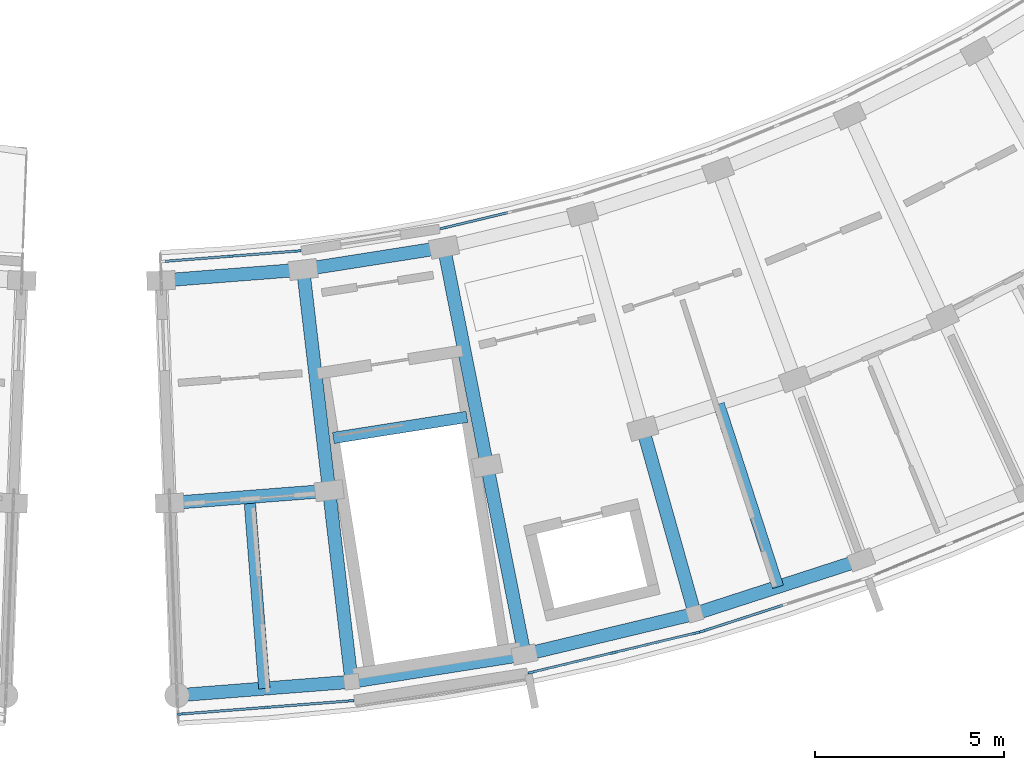
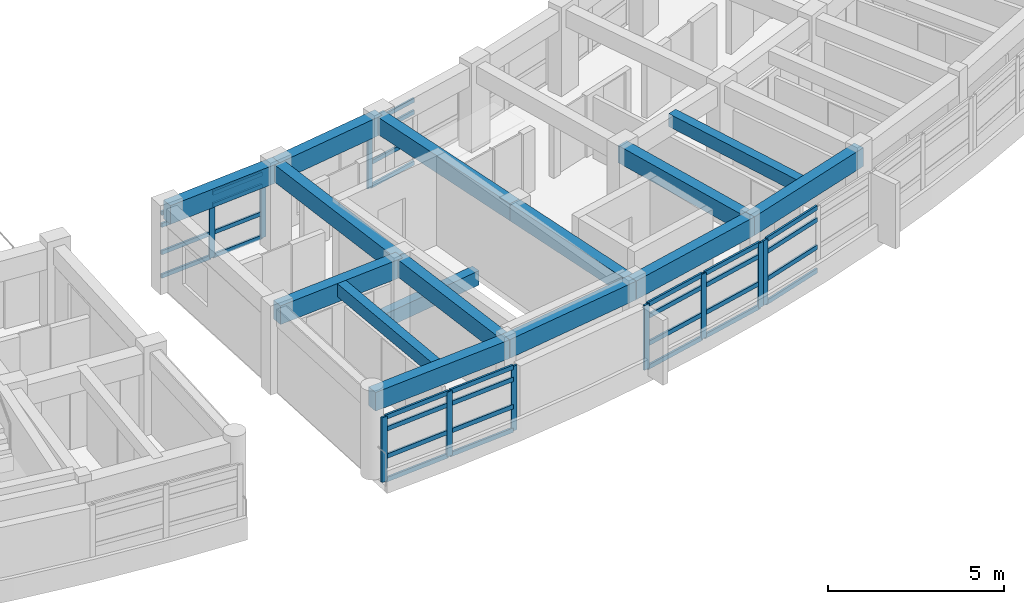
# One storey, part 16 of 54: 42 members, 15 beams, 5 elements without a shape of their own.
"""IFC4 building model written with IfcOpenShell, lengths in metres."""

from ifc_helpers import new_model, si_unit, direction, frame, origin, origin_2d, place, context, subcontext, project, spatial, rectangle, extrude, material, material_profile, profile_set, type_object, element, aggregate, save


model = new_model("IFC4")

# Units and contexts
model_context = context("Model", 3, precision=1e-05, world=origin(), true_north=direction((0.0, 1.0)))
body_context = subcontext(model_context, "Body", "Model", "MODEL_VIEW")
ifc_project = project(units=[si_unit("LENGTHUNIT", "METRE"), si_unit("AREAUNIT", "SQUARE_METRE"), si_unit("VOLUMEUNIT", "CUBIC_METRE"), si_unit("PLANEANGLEUNIT", "RADIAN"), si_unit("MASSUNIT", "GRAM", prefix="KILO")], contexts=[model_context])

# Site, building, storey
site_placement = place(None, origin())
site = spatial("IfcSite", under=ifc_project, at=site_placement, CompositionType="ELEMENT")
building_placement = place(site_placement, origin())
building = spatial("IfcBuilding", under=site, at=building_placement, Name="Zimvara Arc Housing Community", CompositionType="ELEMENT")
storey_placement = place(building_placement, frame((0.0, 0.0, 23.60009765625)))
storey = spatial("IfcBuildingStorey", under=building, at=storey_placement, Name="L07", CompositionType="ELEMENT", Elevation=23.60009765625)

# Beams
ifc_material_1 = material(Name="Concrete C40/50", Category="concrete")
ifc_material_profile_1 = material_profile(ifc_material_1, rectangle(XDim=0.300048828125, YDim=0.449951171875, at=origin_2d()), Name="RC 300x450")
ifc_profile_set_1 = profile_set([ifc_material_profile_1], Name="Concrete C40/50")
beam_type_1 = type_object("IfcBeamType", Name="BM-RC-300x450", PredefinedType="JOIST", material=ifc_profile_set_1)
beam_1_placement = place(storey_placement, frame((130.151123046875, 56.263427734375, 2.69482421875), z_axis=(0.077579175615, -0.996986194243, 0.0), x_axis=(0.996986194243, 0.077579175615, 0.0)))
element("IfcBeam", 1, at=beam_1_placement, inside=storey, type_object=beam_type_1, Name="bm:blkD:L07:joist:b0", PredefinedType="JOIST", context=body_context, shape_type="SweptSolid", body=[
    extrude(rectangle(XDim=0.300048828125, YDim=0.449951171875, at=origin_2d()), origin(), (0.0, 0.0, 1.0), 5.076171875),
])
beam_2_placement = place(storey_placement, frame((142.547607421875, 58.718017578125, 2.69482421875), z_axis=(0.308208278328, -0.951318904033, 0.0), x_axis=(0.951318904033, 0.308208278328, 0.0)))
element("IfcBeam", 2, at=beam_2_placement, inside=storey, type_object=beam_type_1, Name="bm:blkD:L07:joist:b3", PredefinedType="JOIST", context=body_context, shape_type="SweptSolid", body=[
    extrude(rectangle(XDim=0.300048828125, YDim=0.449951171875, at=origin_2d()), origin(), (0.0, 0.0, 1.0), 5.075927734375),
])
ifc_material_2 = material(Name="Concrete C40/50", Category="concrete")
ifc_material_profile_2 = material_profile(ifc_material_2, rectangle(XDim=0.300048828125, YDim=0.5, at=origin_2d()), Name="RC 300x500")
ifc_profile_set_2 = profile_set([ifc_material_profile_2], Name="Concrete C40/50")
beam_type_2 = type_object("IfcBeamType", Name="BM-RC-300x500", PredefinedType="BEAM", material=ifc_profile_set_2)
beam_3_placement = place(storey_placement, frame((132.36865234375, 57.8203125, -0.25), z_axis=(0.987823881982, 0.155576277709, 0.0), x_axis=(-0.155576277709, 0.987823881982, 0.0)))
element("IfcBeam", 3, at=beam_3_placement, inside=storey, type_object=beam_type_2, Name="bm:stair_trim:ST-D1:L07:near", PredefinedType="BEAM", context=body_context, shape_type="SweptSolid", body=[
    extrude(rectangle(XDim=0.300048828125, YDim=0.5, at=origin_2d()), origin(), (0.0, 0.0, 1.0), 3.570068359375),
])
ifc_material_3 = material(Name="Concrete C40/50", Category="concrete")
ifc_material_profile_3 = material_profile(ifc_material_3, rectangle(XDim=0.35009765625, YDim=0.60009765625, at=origin_2d()), Name="RC 350x600")
ifc_profile_set_3 = profile_set([ifc_material_profile_3], Name="Concrete C40/50")
beam_type_3 = type_object("IfcBeamType", Name="BM-RC-350x600", PredefinedType="BEAM", material=ifc_profile_set_3)
beam_4_placement = place(storey_placement, frame((131.57080078125, 62.267333984375, 2.619873046875), z_axis=(0.116672613124, -0.993170429154, 0.0), x_axis=(0.993170429154, 0.116672613124, 0.0)))
element("IfcBeam", 4, at=beam_4_placement, inside=storey, type_object=beam_type_3, Name="bm:blkD:L07:rad:b1:r12", PredefinedType="BEAM", context=body_context, shape_type="SweptSolid", body=[
    extrude(rectangle(XDim=0.35009765625, YDim=0.60009765625, at=origin_2d()), origin(), (0.0, 0.0, 1.0), 5.8798828125),
])
beam_5_placement = place(storey_placement, frame((132.2568359375, 56.427490234375, 2.619873046875), z_axis=(0.116685098261, -0.993168962384, 0.0), x_axis=(0.993168962384, 0.116685098261, 0.0)))
element("IfcBeam", 5, at=beam_5_placement, inside=storey, type_object=beam_type_3, Name="bm:blkD:L07:rad:b1:r23", PredefinedType="BEAM", context=body_context, shape_type="SweptSolid", body=[
    extrude(rectangle(XDim=0.35009765625, YDim=0.60009765625, at=origin_2d()), origin(), (0.0, 0.0, 1.0), 5.080078125),
])
beam_6_placement = place(storey_placement, frame((135.28759765625, 62.8525390625, 2.619873046875), z_axis=(0.194239306935, -0.980954174078, 0.0), x_axis=(0.980954174078, 0.194239306935, 0.0)))
element("IfcBeam", 6, at=beam_6_placement, inside=storey, type_object=beam_type_3, Name="bm:blkD:L07:rad:b2:r12", PredefinedType="BEAM", context=body_context, shape_type="SweptSolid", body=[
    extrude(rectangle(XDim=0.35009765625, YDim=0.60009765625, at=origin_2d()), origin(), (0.0, 0.0, 1.0), 5.8798828125),
])
beam_7_placement = place(storey_placement, frame((136.4296875, 57.084716796875, 2.619873046875), z_axis=(0.194248925774, -0.980952269397, 0.0), x_axis=(0.980952269397, 0.194248925774, 0.0)))
element("IfcBeam", 7, at=beam_7_placement, inside=storey, type_object=beam_type_3, Name="bm:blkD:L07:rad:b2:r23", PredefinedType="BEAM", context=body_context, shape_type="SweptSolid", body=[
    extrude(rectangle(XDim=0.35009765625, YDim=0.60009765625, at=origin_2d()), origin(), (0.0, 0.0, 1.0), 5.080078125),
])
beam_8_placement = place(storey_placement, frame((140.538330078125, 58.067138671875, 2.619873046875), z_axis=(0.270579949442, -0.962697507507, 0.0), x_axis=(0.962697507507, 0.270579949442, 0.0)))
element("IfcBeam", 8, at=beam_8_placement, inside=storey, type_object=beam_type_3, Name="bm:blkD:L07:rad:b3:r23", PredefinedType="BEAM", context=body_context, shape_type="SweptSolid", body=[
    extrude(rectangle(XDim=0.35009765625, YDim=0.60009765625, at=origin_2d()), origin(), (0.0, 0.0, 1.0), 5.079833984375),
])
ifc_material_4 = material(Name="Concrete C40/50", Category="concrete")
ifc_material_profile_4 = material_profile(ifc_material_4, rectangle(XDim=0.35009765625, YDim=0.64990234375, at=origin_2d()), Name="RC 350x650")
ifc_profile_set_4 = profile_set([ifc_material_profile_4], Name="Concrete C40/50")
beam_type_4 = type_object("IfcBeamType", Name="BM-RC-350x650", PredefinedType="BEAM", material=ifc_profile_set_4)
beam_9_placement = place(storey_placement, frame((127.819580078125, 61.975341796875, 2.594970703125), z_axis=(0.996984223393, 0.077604499263, 0.0), x_axis=(-0.077604499263, 0.996984223393, 0.0)))
element("IfcBeam", 9, at=beam_9_placement, inside=storey, type_object=beam_type_4, Name="bm:blkD:L07:chord:r1:b0", PredefinedType="BEAM", context=body_context, shape_type="SweptSolid", body=[
    extrude(rectangle(XDim=0.35009765625, YDim=0.64990234375, at=origin_2d()), origin(), (0.0, 0.0, 1.0), 3.762451171875),
])
beam_10_placement = place(storey_placement, frame((131.57080078125, 62.267333984375, 2.594970703125), z_axis=(0.987830739488, 0.155532730068, 0.0), x_axis=(-0.155532730068, 0.987830739488, 0.0)))
element("IfcBeam", 10, at=beam_10_placement, inside=storey, type_object=beam_type_4, Name="bm:blkD:L07:chord:r1:b1", PredefinedType="BEAM", context=body_context, shape_type="SweptSolid", body=[
    extrude(rectangle(XDim=0.35009765625, YDim=0.64990234375, at=origin_2d()), origin(), (0.0, 0.0, 1.0), 3.7626953125),
])
beam_11_placement = place(storey_placement, frame((128.045166015625, 56.099609375, 2.594970703125), z_axis=(0.996983350574, 0.077615711543, 0.0), x_axis=(-0.077615711543, 0.996983350574, 0.0)))
element("IfcBeam", 11, at=beam_11_placement, inside=storey, type_object=beam_type_4, Name="bm:blkD:L07:chord:r2:b0", PredefinedType="BEAM", context=body_context, shape_type="SweptSolid", body=[
    extrude(rectangle(XDim=0.35009765625, YDim=0.64990234375, at=origin_2d()), origin(), (0.0, 0.0, 1.0), 4.224365234375),
])
for number, where, z_axis, x_axis, name in (
    (12, (128.240234375, 51.0234375, 2.594970703125), (0.996986694494, 0.077572746515, 0.0), (-0.077572746515, 0.996986694494, 0.0), "bm:blkD:L07:chord:r3:b0"),
    (13, (132.849609375, 51.382080078125, 2.594970703125), (0.987824544931, 0.155572068287, 0.0), (-0.155572068287, 0.987824544931, 0.0), "bm:blkD:L07:chord:r3:b1"),
):
    element("IfcBeam", number, at=place(storey_placement, frame(where, z_axis=z_axis, x_axis=x_axis)), inside=storey, type_object=beam_type_4, Name=name, PredefinedType="BEAM", context=body_context, shape_type="SweptSolid", body=[
        extrude(rectangle(XDim=0.35009765625, YDim=0.64990234375, at=origin_2d()), origin(), (0.0, 0.0, 1.0), 4.623291015625),
    ])
beam_12_placement = place(storey_placement, frame((137.41650390625, 52.101318359375, 2.594970703125), z_axis=(0.972567724572, 0.232619906974, 0.0), x_axis=(-0.232619906974, 0.972567724572, 0.0)))
element("IfcBeam", 14, at=beam_12_placement, inside=storey, type_object=beam_type_4, Name="bm:blkD:L07:chord:r3:b2", PredefinedType="BEAM", context=body_context, shape_type="SweptSolid", body=[
    extrude(rectangle(XDim=0.35009765625, YDim=0.64990234375, at=origin_2d()), origin(), (0.0, 0.0, 1.0), 4.623046875),
])
beam_13_placement = place(storey_placement, frame((141.912841796875, 53.1767578125, 2.594970703125), z_axis=(0.951331650007, 0.308168933695, 0.0), x_axis=(-0.308168933695, 0.951331650007, 0.0)))
element("IfcBeam", 15, at=beam_13_placement, inside=storey, type_object=beam_type_4, Name="bm:blkD:L07:chord:r3:b3", PredefinedType="BEAM", context=body_context, shape_type="SweptSolid", body=[
    extrude(rectangle(XDim=0.35009765625, YDim=0.64990234375, at=origin_2d()), origin(), (0.0, 0.0, 1.0), 4.62353515625),
])

# Curtain wall, members
ifc_material_5 = material(Name="Anodised Aluminium AW-6063", Category="aluminium")
curtain_wall_type_1 = type_object("IfcCurtainWallType", Name="CW-SYS-08", PredefinedType="USERDEFINED", material=ifc_material_5)
curtain_wall_1_placement = place(storey_placement, origin())
curtain_wall_1 = element("IfcCurtainWall", 16, at=curtain_wall_1_placement, inside=storey, type_object=curtain_wall_type_1, Name="cw:blkD:L07:in:b0", ObjectType="CURTAIN WALL", PredefinedType="USERDEFINED")
ifc_material_6 = material(Name="Anodised Aluminium AW-6063", Category="aluminium")
ifc_material_profile_5 = material_profile(ifc_material_6, rectangle(XDim=0.06494140625, YDim=0.179931640625, at=origin_2d()), Name="ALU 65x180")
ifc_profile_set_5 = profile_set([ifc_material_profile_5], Name="Anodised Aluminium AW-6063")
member_type_1 = type_object("IfcMemberType", Name="CWM-65x150", PredefinedType="MULLION", material=ifc_profile_set_5)
member_1_placement = place(storey_placement, frame((129.656494140625, 62.619384765625, 0.0), z_axis=(0.0, 0.0, 1.0), x_axis=(-0.077587782714, 0.996985524455, 0.0)))
member_1 = element("IfcMember", 17, at=member_1_placement, type_object=member_type_1, Name="CW08 mullion 2", PredefinedType="MULLION", context=body_context, shape_type="SweptSolid", body=[
    extrude(rectangle(XDim=0.06494140625, YDim=0.179931640625, at=origin_2d()), origin(), (0.0, 0.0, 1.0), 2.25),
])
member_2_placement = place(storey_placement, frame((131.42041015625, 62.756591796875, 0.0), z_axis=(0.0, 0.0, 1.0), x_axis=(-0.077587782714, 0.996985524455, 0.0)))
member_2 = element("IfcMember", 18, at=member_2_placement, type_object=member_type_1, Name="CW08 mullion 3", PredefinedType="MULLION", context=body_context, shape_type="SweptSolid", body=[
    extrude(rectangle(XDim=0.06494140625, YDim=0.179931640625, at=origin_2d()), origin(), (0.0, 0.0, 1.0), 2.25),
])

# Curtain wall, member
ifc_material_7 = material(Name="Anodised Aluminium AW-6063", Category="aluminium")
curtain_wall_type_2 = type_object("IfcCurtainWallType", Name="CW-SYS-02", PredefinedType="USERDEFINED", material=ifc_material_7)
curtain_wall_2_placement = place(storey_placement, origin())
curtain_wall_2 = element("IfcCurtainWall", 19, at=curtain_wall_2_placement, inside=storey, type_object=curtain_wall_type_2, Name="cw:blkD:L07:in:b2", ObjectType="CURTAIN WALL", PredefinedType="USERDEFINED")
member_3_placement = place(storey_placement, frame((135.280517578125, 63.364501953125, 0.0), z_axis=(0.0, 0.0, 1.0), x_axis=(-0.232597009774, 0.972573200867, 0.0)))
member_3 = element("IfcMember", 20, at=member_3_placement, type_object=member_type_1, Name="CW02 mullion 1", PredefinedType="MULLION", context=body_context, shape_type="SweptSolid", body=[
    extrude(rectangle(XDim=0.06494140625, YDim=0.179931640625, at=origin_2d()), origin(), (0.0, 0.0, 1.0), 2.25),
])

# Curtain wall, members
ifc_material_8 = material(Name="Anodised Aluminium AW-6063", Category="aluminium")
curtain_wall_type_3 = type_object("IfcCurtainWallType", Name="CW-SYS-07", PredefinedType="USERDEFINED", material=ifc_material_8)
curtain_wall_3_placement = place(storey_placement, origin())
curtain_wall_3 = element("IfcCurtainWall", 21, at=curtain_wall_3_placement, inside=storey, type_object=curtain_wall_type_3, Name="cw:blkD:L07:out:b0", ObjectType="CURTAIN WALL", PredefinedType="USERDEFINED")
ifc_material_9 = material(Name="Anodised Aluminium AW-6063", Category="aluminium")
ifc_material_profile_6 = material_profile(ifc_material_9, rectangle(XDim=0.06494140625, YDim=0.195068359375, at=origin_2d()), Name="ALU 65x195")
ifc_profile_set_6 = profile_set([ifc_material_profile_6], Name="Anodised Aluminium AW-6063")
member_type_2 = type_object("IfcMemberType", Name="CWM-65x180", PredefinedType="MULLION", material=ifc_profile_set_6)
member_4_placement = place(storey_placement, frame((128.351806640625, 50.531005859375, 0.0), z_axis=(0.0, 0.0, 1.0), x_axis=(-0.077589538059, 0.996985387849, 0.0)))
member_4 = element("IfcMember", 22, at=member_4_placement, type_object=member_type_2, Name="CW07 mullion 1", PredefinedType="MULLION", context=body_context, shape_type="SweptSolid", body=[
    extrude(rectangle(XDim=0.06494140625, YDim=0.195068359375, at=origin_2d()), origin(), (0.0, 0.0, 1.0), 2.25),
])
member_5_placement = place(storey_placement, frame((130.583740234375, 50.70458984375, 0.0), z_axis=(0.0, 0.0, 1.0), x_axis=(-0.077589538059, 0.996985387849, 0.0)))
member_5 = element("IfcMember", 23, at=member_5_placement, type_object=member_type_2, Name="CW07 mullion 2", PredefinedType="MULLION", context=body_context, shape_type="SweptSolid", body=[
    extrude(rectangle(XDim=0.06494140625, YDim=0.195068359375, at=origin_2d()), origin(), (0.0, 0.0, 1.0), 2.25),
])
member_6_placement = place(storey_placement, frame((132.815673828125, 50.87841796875, 0.0), z_axis=(0.0, 0.0, 1.0), x_axis=(-0.077589538059, 0.996985387849, 0.0)))
member_6 = element("IfcMember", 24, at=member_6_placement, type_object=member_type_2, Name="CW07 mullion 3", PredefinedType="MULLION", context=body_context, shape_type="SweptSolid", body=[
    extrude(rectangle(XDim=0.06494140625, YDim=0.195068359375, at=origin_2d()), origin(), (0.0, 0.0, 1.0), 2.25),
])

ifc_material_10 = material(Name="Anodised Aluminium AW-6063", Category="aluminium")
curtain_wall_type_4 = type_object("IfcCurtainWallType", Name="CW-SYS-01", PredefinedType="USERDEFINED", material=ifc_material_10)
curtain_wall_4_placement = place(storey_placement, origin())
curtain_wall_4 = element("IfcCurtainWall", 25, at=curtain_wall_4_placement, inside=storey, type_object=curtain_wall_type_4, Name="cw:blkD:L07:out:b2", ObjectType="CURTAIN WALL", PredefinedType="USERDEFINED")
member_7_placement = place(storey_placement, frame((137.603515625, 51.63232421875, 0.0), z_axis=(0.0, 0.0, 1.0), x_axis=(-0.232596798101, 0.97257325149, 0.0)))
member_7 = element("IfcMember", 26, at=member_7_placement, type_object=member_type_2, Name="CW01 mullion 1", PredefinedType="MULLION", context=body_context, shape_type="SweptSolid", body=[
    extrude(rectangle(XDim=0.06494140625, YDim=0.195068359375, at=origin_2d()), origin(), (0.0, 0.0, 1.0), 2.25),
])
member_8_placement = place(storey_placement, frame((139.781005859375, 52.153076171875, 0.0), z_axis=(0.0, 0.0, 1.0), x_axis=(-0.232596798101, 0.97257325149, 0.0)))
member_8 = element("IfcMember", 27, at=member_8_placement, type_object=member_type_2, Name="CW01 mullion 2", PredefinedType="MULLION", context=body_context, shape_type="SweptSolid", body=[
    extrude(rectangle(XDim=0.06494140625, YDim=0.195068359375, at=origin_2d()), origin(), (0.0, 0.0, 1.0), 2.25),
])
member_9_placement = place(storey_placement, frame((141.958251953125, 52.673828125, 0.0), z_axis=(0.0, 0.0, 1.0), x_axis=(-0.232596798101, 0.97257325149, 0.0)))
member_9 = element("IfcMember", 28, at=member_9_placement, type_object=member_type_2, Name="CW01 mullion 3", PredefinedType="MULLION", context=body_context, shape_type="SweptSolid", body=[
    extrude(rectangle(XDim=0.06494140625, YDim=0.195068359375, at=origin_2d()), origin(), (0.0, 0.0, 1.0), 2.25),
])

# Curtain wall, member
ifc_material_11 = material(Name="Anodised Aluminium AW-6063", Category="aluminium")
curtain_wall_type_5 = type_object("IfcCurtainWallType", Name="CW-SYS-03", PredefinedType="USERDEFINED", material=ifc_material_11)
curtain_wall_5_placement = place(storey_placement, origin())
curtain_wall_5 = element("IfcCurtainWall", 29, at=curtain_wall_5_placement, inside=storey, type_object=curtain_wall_type_5, Name="cw:blkD:L07:out:b3", ObjectType="CURTAIN WALL", PredefinedType="USERDEFINED")
member_10_placement = place(storey_placement, frame((142.13623046875, 52.723876953125, 0.0), z_axis=(0.0, 0.0, 1.0), x_axis=(-0.308184952203, 0.951326460914, 0.0)))
member_10 = element("IfcMember", 30, at=member_10_placement, type_object=member_type_2, Name="CW03 mullion 1", PredefinedType="MULLION", context=body_context, shape_type="SweptSolid", body=[
    extrude(rectangle(XDim=0.06494140625, YDim=0.195068359375, at=origin_2d()), origin(), (0.0, 0.0, 1.0), 2.25),
])

# Member
ifc_material_12 = material(Name="Anodised Aluminium AW-6063", Category="aluminium")
ifc_material_profile_7 = material_profile(ifc_material_12, rectangle(XDim=0.06494140625, YDim=0.139892578125, at=origin_2d()), Name="ALU 65x140")
ifc_profile_set_7 = profile_set([ifc_material_profile_7], Name="Anodised Aluminium AW-6063")
member_type_3 = type_object("IfcMemberType", Name="CWT-65x120", PredefinedType="USERDEFINED", material=ifc_profile_set_7)
member_11_placement = place(storey_placement, frame((127.925048828125, 62.484619140625, 0.032470703125), z_axis=(0.996980711989, 0.077649597054, 0.0), x_axis=(-0.077649597054, 0.996980711989, 0.0)))
member_11 = element("IfcMember", 31, at=member_11_placement, type_object=member_type_3, Name="CW08 transom 1.1", ObjectType="TRANSOM", PredefinedType="USERDEFINED", context=body_context, shape_type="SweptSolid", body=[
    extrude(rectangle(XDim=0.06494140625, YDim=0.139892578125, at=origin_2d()), origin(), (0.0, 0.0, 1.0), 1.7041015625),
])

member_12_placement = place(storey_placement, frame((127.925048828125, 62.484619140625, 0.849853515625), z_axis=(0.996980711989, 0.077649597054, 0.0), x_axis=(-0.077649597054, 0.996980711989, 0.0)))
member_12 = element("IfcMember", 32, at=member_12_placement, type_object=member_type_3, Name="CW08 transom 1.2", ObjectType="TRANSOM", PredefinedType="USERDEFINED", context=body_context, shape_type="SweptSolid", body=[
    extrude(rectangle(XDim=0.06494140625, YDim=0.139892578125, at=origin_2d()), origin(), (0.0, 0.0, 1.0), 1.7041015625),
])

member_13_placement = place(storey_placement, frame((127.925048828125, 62.484619140625, 1.7998046875), z_axis=(0.996980711989, 0.077649597054, 0.0), x_axis=(-0.077649597054, 0.996980711989, 0.0)))
member_13 = element("IfcMember", 33, at=member_13_placement, type_object=member_type_3, Name="CW08 transom 1.3", ObjectType="TRANSOM", PredefinedType="USERDEFINED", context=body_context, shape_type="SweptSolid", body=[
    extrude(rectangle(XDim=0.06494140625, YDim=0.139892578125, at=origin_2d()), origin(), (0.0, 0.0, 1.0), 1.7041015625),
])

member_14_placement = place(storey_placement, frame((127.925048828125, 62.484619140625, 2.21728515625), z_axis=(0.996980711989, 0.077649597054, 0.0), x_axis=(-0.077649597054, 0.996980711989, 0.0)))
member_14 = element("IfcMember", 34, at=member_14_placement, type_object=member_type_3, Name="CW08 transom 1.4", ObjectType="TRANSOM", PredefinedType="USERDEFINED", context=body_context, shape_type="SweptSolid", body=[
    extrude(rectangle(XDim=0.06494140625, YDim=0.139892578125, at=origin_2d()), origin(), (0.0, 0.0, 1.0), 1.7041015625),
])

member_15_placement = place(storey_placement, frame((129.688720703125, 62.621826171875, 0.032470703125), z_axis=(0.996981575614, 0.077638507756, 0.0), x_axis=(-0.077638507756, 0.996981575614, 0.0)))
member_15 = element("IfcMember", 35, at=member_15_placement, type_object=member_type_3, Name="CW08 transom 2.1", ObjectType="TRANSOM", PredefinedType="USERDEFINED", context=body_context, shape_type="SweptSolid", body=[
    extrude(rectangle(XDim=0.06494140625, YDim=0.139892578125, at=origin_2d()), origin(), (0.0, 0.0, 1.0), 1.704345703125),
])

member_16_placement = place(storey_placement, frame((129.688720703125, 62.621826171875, 0.849853515625), z_axis=(0.996981575614, 0.077638507756, 0.0), x_axis=(-0.077638507756, 0.996981575614, 0.0)))
member_16 = element("IfcMember", 36, at=member_16_placement, type_object=member_type_3, Name="CW08 transom 2.2", ObjectType="TRANSOM", PredefinedType="USERDEFINED", context=body_context, shape_type="SweptSolid", body=[
    extrude(rectangle(XDim=0.06494140625, YDim=0.139892578125, at=origin_2d()), origin(), (0.0, 0.0, 1.0), 1.704345703125),
])

member_17_placement = place(storey_placement, frame((129.688720703125, 62.621826171875, 1.7998046875), z_axis=(0.996981575614, 0.077638507756, 0.0), x_axis=(-0.077638507756, 0.996981575614, 0.0)))
member_17 = element("IfcMember", 37, at=member_17_placement, type_object=member_type_3, Name="CW08 transom 2.3", ObjectType="TRANSOM", PredefinedType="USERDEFINED", context=body_context, shape_type="SweptSolid", body=[
    extrude(rectangle(XDim=0.06494140625, YDim=0.139892578125, at=origin_2d()), origin(), (0.0, 0.0, 1.0), 1.704345703125),
])

member_18_placement = place(storey_placement, frame((129.688720703125, 62.621826171875, 2.21728515625), z_axis=(0.996981575614, 0.077638507756, 0.0), x_axis=(-0.077638507756, 0.996981575614, 0.0)))
member_18 = element("IfcMember", 38, at=member_18_placement, type_object=member_type_3, Name="CW08 transom 2.4", ObjectType="TRANSOM", PredefinedType="USERDEFINED", context=body_context, shape_type="SweptSolid", body=[
    extrude(rectangle(XDim=0.06494140625, YDim=0.139892578125, at=origin_2d()), origin(), (0.0, 0.0, 1.0), 1.704345703125),
])

aggregate(curtain_wall_1, [member_1, member_2, member_11, member_12, member_13, member_14, member_15, member_16, member_17, member_18])

member_19_placement = place(storey_placement, frame((135.312255859375, 63.3720703125, 0.032470703125), z_axis=(0.972561278115, 0.232646857513, 0.0), x_axis=(-0.232646857513, 0.972561278115, 0.0)))
member_19 = element("IfcMember", 39, at=member_19_placement, type_object=member_type_3, Name="CW02 transom 1.1", ObjectType="TRANSOM", PredefinedType="USERDEFINED", context=body_context, shape_type="SweptSolid", body=[
    extrude(rectangle(XDim=0.06494140625, YDim=0.139892578125, at=origin_2d()), origin(), (0.0, 0.0, 1.0), 1.704345703125),
])

member_20_placement = place(storey_placement, frame((135.312255859375, 63.3720703125, 0.849853515625), z_axis=(0.972561278115, 0.232646857513, 0.0), x_axis=(-0.232646857513, 0.972561278115, 0.0)))
member_20 = element("IfcMember", 40, at=member_20_placement, type_object=member_type_3, Name="CW02 transom 1.2", ObjectType="TRANSOM", PredefinedType="USERDEFINED", context=body_context, shape_type="SweptSolid", body=[
    extrude(rectangle(XDim=0.06494140625, YDim=0.139892578125, at=origin_2d()), origin(), (0.0, 0.0, 1.0), 1.704345703125),
])

member_21_placement = place(storey_placement, frame((135.312255859375, 63.3720703125, 1.7998046875), z_axis=(0.972561278115, 0.232646857513, 0.0), x_axis=(-0.232646857513, 0.972561278115, 0.0)))
member_21 = element("IfcMember", 41, at=member_21_placement, type_object=member_type_3, Name="CW02 transom 1.3", ObjectType="TRANSOM", PredefinedType="USERDEFINED", context=body_context, shape_type="SweptSolid", body=[
    extrude(rectangle(XDim=0.06494140625, YDim=0.139892578125, at=origin_2d()), origin(), (0.0, 0.0, 1.0), 1.704345703125),
])

member_22_placement = place(storey_placement, frame((135.312255859375, 63.3720703125, 2.21728515625), z_axis=(0.972561278115, 0.232646857513, 0.0), x_axis=(-0.232646857513, 0.972561278115, 0.0)))
member_22 = element("IfcMember", 42, at=member_22_placement, type_object=member_type_3, Name="CW02 transom 1.4", ObjectType="TRANSOM", PredefinedType="USERDEFINED", context=body_context, shape_type="SweptSolid", body=[
    extrude(rectangle(XDim=0.06494140625, YDim=0.139892578125, at=origin_2d()), origin(), (0.0, 0.0, 1.0), 1.704345703125),
])

aggregate(curtain_wall_2, [member_3, member_19, member_20, member_21, member_22])

ifc_material_13 = material(Name="Anodised Aluminium AW-6063", Category="aluminium")
ifc_material_profile_8 = material_profile(ifc_material_13, rectangle(XDim=0.06494140625, YDim=0.155029296875, at=origin_2d()), Name="ALU 65x155")
ifc_profile_set_8 = profile_set([ifc_material_profile_8], Name="Anodised Aluminium AW-6063")
member_type_4 = type_object("IfcMemberType", Name="CWT-65x140", PredefinedType="USERDEFINED", material=ifc_profile_set_8)
member_23_placement = place(storey_placement, frame((128.384033203125, 50.533447265625, 0.032470703125), z_axis=(0.99698404072, 0.077606846022, 0.0), x_axis=(-0.077606846022, 0.99698404072, 0.0)))
member_23 = element("IfcMember", 43, at=member_23_placement, type_object=member_type_4, Name="CW07 transom 1.1", ObjectType="TRANSOM", PredefinedType="USERDEFINED", context=body_context, shape_type="SweptSolid", body=[
    extrude(rectangle(XDim=0.06494140625, YDim=0.155029296875, at=origin_2d()), origin(), (0.0, 0.0, 1.0), 2.173828125),
])

member_24_placement = place(storey_placement, frame((128.384033203125, 50.533447265625, 0.849853515625), z_axis=(0.99698404072, 0.077606846022, 0.0), x_axis=(-0.077606846022, 0.99698404072, 0.0)))
member_24 = element("IfcMember", 44, at=member_24_placement, type_object=member_type_4, Name="CW07 transom 1.2", ObjectType="TRANSOM", PredefinedType="USERDEFINED", context=body_context, shape_type="SweptSolid", body=[
    extrude(rectangle(XDim=0.06494140625, YDim=0.155029296875, at=origin_2d()), origin(), (0.0, 0.0, 1.0), 2.173828125),
])

member_25_placement = place(storey_placement, frame((128.384033203125, 50.533447265625, 1.7998046875), z_axis=(0.99698404072, 0.077606846022, 0.0), x_axis=(-0.077606846022, 0.99698404072, 0.0)))
member_25 = element("IfcMember", 45, at=member_25_placement, type_object=member_type_4, Name="CW07 transom 1.3", ObjectType="TRANSOM", PredefinedType="USERDEFINED", context=body_context, shape_type="SweptSolid", body=[
    extrude(rectangle(XDim=0.06494140625, YDim=0.155029296875, at=origin_2d()), origin(), (0.0, 0.0, 1.0), 2.173828125),
])

member_26_placement = place(storey_placement, frame((128.384033203125, 50.533447265625, 2.21728515625), z_axis=(0.99698404072, 0.077606846022, 0.0), x_axis=(-0.077606846022, 0.99698404072, 0.0)))
member_26 = element("IfcMember", 46, at=member_26_placement, type_object=member_type_4, Name="CW07 transom 1.4", ObjectType="TRANSOM", PredefinedType="USERDEFINED", context=body_context, shape_type="SweptSolid", body=[
    extrude(rectangle(XDim=0.06494140625, YDim=0.155029296875, at=origin_2d()), origin(), (0.0, 0.0, 1.0), 2.173828125),
])

member_27_placement = place(storey_placement, frame((130.6162109375, 50.707275390625, 0.032470703125), z_axis=(0.996992049751, 0.0775038885, 0.0), x_axis=(-0.0775038885, 0.996992049751, 0.0)))
member_27 = element("IfcMember", 47, at=member_27_placement, type_object=member_type_4, Name="CW07 transom 2.1", ObjectType="TRANSOM", PredefinedType="USERDEFINED", context=body_context, shape_type="SweptSolid", body=[
    extrude(rectangle(XDim=0.06494140625, YDim=0.155029296875, at=origin_2d()), origin(), (0.0, 0.0, 1.0), 2.173583984375),
])

member_28_placement = place(storey_placement, frame((130.6162109375, 50.707275390625, 0.849853515625), z_axis=(0.996992049751, 0.0775038885, 0.0), x_axis=(-0.0775038885, 0.996992049751, 0.0)))
member_28 = element("IfcMember", 48, at=member_28_placement, type_object=member_type_4, Name="CW07 transom 2.2", ObjectType="TRANSOM", PredefinedType="USERDEFINED", context=body_context, shape_type="SweptSolid", body=[
    extrude(rectangle(XDim=0.06494140625, YDim=0.155029296875, at=origin_2d()), origin(), (0.0, 0.0, 1.0), 2.173583984375),
])

member_29_placement = place(storey_placement, frame((130.6162109375, 50.707275390625, 1.7998046875), z_axis=(0.996992049751, 0.0775038885, 0.0), x_axis=(-0.0775038885, 0.996992049751, 0.0)))
member_29 = element("IfcMember", 49, at=member_29_placement, type_object=member_type_4, Name="CW07 transom 2.3", ObjectType="TRANSOM", PredefinedType="USERDEFINED", context=body_context, shape_type="SweptSolid", body=[
    extrude(rectangle(XDim=0.06494140625, YDim=0.155029296875, at=origin_2d()), origin(), (0.0, 0.0, 1.0), 2.173583984375),
])

member_30_placement = place(storey_placement, frame((130.6162109375, 50.707275390625, 2.21728515625), z_axis=(0.996992049751, 0.0775038885, 0.0), x_axis=(-0.0775038885, 0.996992049751, 0.0)))
member_30 = element("IfcMember", 50, at=member_30_placement, type_object=member_type_4, Name="CW07 transom 2.4", ObjectType="TRANSOM", PredefinedType="USERDEFINED", context=body_context, shape_type="SweptSolid", body=[
    extrude(rectangle(XDim=0.06494140625, YDim=0.155029296875, at=origin_2d()), origin(), (0.0, 0.0, 1.0), 2.173583984375),
])

aggregate(curtain_wall_3, [member_4, member_5, member_6, member_23, member_24, member_25, member_26, member_27, member_28, member_29, member_30])

member_31_placement = place(storey_placement, frame((137.63525390625, 51.639892578125, 0.032470703125), z_axis=(0.972569501663, 0.232612476954, 0.0), x_axis=(-0.232612476954, 0.972569501663, 0.0)))
member_31 = element("IfcMember", 51, at=member_31_placement, type_object=member_type_4, Name="CW01 transom 1.1", ObjectType="TRANSOM", PredefinedType="USERDEFINED", context=body_context, shape_type="SweptSolid", body=[
    extrude(rectangle(XDim=0.06494140625, YDim=0.155029296875, at=origin_2d()), origin(), (0.0, 0.0, 1.0), 2.173583984375),
])

member_32_placement = place(storey_placement, frame((137.63525390625, 51.639892578125, 0.849853515625), z_axis=(0.972569501663, 0.232612476954, 0.0), x_axis=(-0.232612476954, 0.972569501663, 0.0)))
member_32 = element("IfcMember", 52, at=member_32_placement, type_object=member_type_4, Name="CW01 transom 1.2", ObjectType="TRANSOM", PredefinedType="USERDEFINED", context=body_context, shape_type="SweptSolid", body=[
    extrude(rectangle(XDim=0.06494140625, YDim=0.155029296875, at=origin_2d()), origin(), (0.0, 0.0, 1.0), 2.173583984375),
])

member_33_placement = place(storey_placement, frame((137.63525390625, 51.639892578125, 1.7998046875), z_axis=(0.972569501663, 0.232612476954, 0.0), x_axis=(-0.232612476954, 0.972569501663, 0.0)))
member_33 = element("IfcMember", 53, at=member_33_placement, type_object=member_type_4, Name="CW01 transom 1.3", ObjectType="TRANSOM", PredefinedType="USERDEFINED", context=body_context, shape_type="SweptSolid", body=[
    extrude(rectangle(XDim=0.06494140625, YDim=0.155029296875, at=origin_2d()), origin(), (0.0, 0.0, 1.0), 2.173583984375),
])

member_34_placement = place(storey_placement, frame((137.63525390625, 51.639892578125, 2.21728515625), z_axis=(0.972569501663, 0.232612476954, 0.0), x_axis=(-0.232612476954, 0.972569501663, 0.0)))
member_34 = element("IfcMember", 54, at=member_34_placement, type_object=member_type_4, Name="CW01 transom 1.4", ObjectType="TRANSOM", PredefinedType="USERDEFINED", context=body_context, shape_type="SweptSolid", body=[
    extrude(rectangle(XDim=0.06494140625, YDim=0.155029296875, at=origin_2d()), origin(), (0.0, 0.0, 1.0), 2.173583984375),
])

member_35_placement = place(storey_placement, frame((139.8125, 52.16064453125, 0.032470703125), z_axis=(0.972575578083, 0.232587069539, 0.0), x_axis=(-0.232587069539, 0.972575578083, 0.0)))
member_35 = element("IfcMember", 55, at=member_35_placement, type_object=member_type_4, Name="CW01 transom 2.1", ObjectType="TRANSOM", PredefinedType="USERDEFINED", context=body_context, shape_type="SweptSolid", body=[
    extrude(rectangle(XDim=0.06494140625, YDim=0.155029296875, at=origin_2d()), origin(), (0.0, 0.0, 1.0), 2.173828125),
])

member_36_placement = place(storey_placement, frame((139.8125, 52.16064453125, 0.849853515625), z_axis=(0.972575578083, 0.232587069539, 0.0), x_axis=(-0.232587069539, 0.972575578083, 0.0)))
member_36 = element("IfcMember", 56, at=member_36_placement, type_object=member_type_4, Name="CW01 transom 2.2", ObjectType="TRANSOM", PredefinedType="USERDEFINED", context=body_context, shape_type="SweptSolid", body=[
    extrude(rectangle(XDim=0.06494140625, YDim=0.155029296875, at=origin_2d()), origin(), (0.0, 0.0, 1.0), 2.173828125),
])

member_37_placement = place(storey_placement, frame((139.8125, 52.16064453125, 1.7998046875), z_axis=(0.972575578083, 0.232587069539, 0.0), x_axis=(-0.232587069539, 0.972575578083, 0.0)))
member_37 = element("IfcMember", 57, at=member_37_placement, type_object=member_type_4, Name="CW01 transom 2.3", ObjectType="TRANSOM", PredefinedType="USERDEFINED", context=body_context, shape_type="SweptSolid", body=[
    extrude(rectangle(XDim=0.06494140625, YDim=0.155029296875, at=origin_2d()), origin(), (0.0, 0.0, 1.0), 2.173828125),
])

member_38_placement = place(storey_placement, frame((139.8125, 52.16064453125, 2.21728515625), z_axis=(0.972575578083, 0.232587069539, 0.0), x_axis=(-0.232587069539, 0.972575578083, 0.0)))
member_38 = element("IfcMember", 58, at=member_38_placement, type_object=member_type_4, Name="CW01 transom 2.4", ObjectType="TRANSOM", PredefinedType="USERDEFINED", context=body_context, shape_type="SweptSolid", body=[
    extrude(rectangle(XDim=0.06494140625, YDim=0.155029296875, at=origin_2d()), origin(), (0.0, 0.0, 1.0), 2.173828125),
])

aggregate(curtain_wall_4, [member_7, member_8, member_9, member_31, member_32, member_33, member_34, member_35, member_36, member_37, member_38])

member_39_placement = place(storey_placement, frame((142.167236328125, 52.73388671875, 0.032470703125), z_axis=(0.951322540295, 0.308197054377, 0.0), x_axis=(-0.308197054377, 0.951322540295, 0.0)))
member_39 = element("IfcMember", 59, at=member_39_placement, type_object=member_type_4, Name="CW03 transom 1.1", ObjectType="TRANSOM", PredefinedType="USERDEFINED", context=body_context, shape_type="SweptSolid", body=[
    extrude(rectangle(XDim=0.06494140625, YDim=0.155029296875, at=origin_2d()), origin(), (0.0, 0.0, 1.0), 2.173583984375),
])

member_40_placement = place(storey_placement, frame((142.167236328125, 52.73388671875, 0.849853515625), z_axis=(0.951322540295, 0.308197054377, 0.0), x_axis=(-0.308197054377, 0.951322540295, 0.0)))
member_40 = element("IfcMember", 60, at=member_40_placement, type_object=member_type_4, Name="CW03 transom 1.2", ObjectType="TRANSOM", PredefinedType="USERDEFINED", context=body_context, shape_type="SweptSolid", body=[
    extrude(rectangle(XDim=0.06494140625, YDim=0.155029296875, at=origin_2d()), origin(), (0.0, 0.0, 1.0), 2.173583984375),
])

member_41_placement = place(storey_placement, frame((142.167236328125, 52.73388671875, 1.7998046875), z_axis=(0.951322540295, 0.308197054377, 0.0), x_axis=(-0.308197054377, 0.951322540295, 0.0)))
member_41 = element("IfcMember", 61, at=member_41_placement, type_object=member_type_4, Name="CW03 transom 1.3", ObjectType="TRANSOM", PredefinedType="USERDEFINED", context=body_context, shape_type="SweptSolid", body=[
    extrude(rectangle(XDim=0.06494140625, YDim=0.155029296875, at=origin_2d()), origin(), (0.0, 0.0, 1.0), 2.173583984375),
])

member_42_placement = place(storey_placement, frame((142.167236328125, 52.73388671875, 2.21728515625), z_axis=(0.951322540295, 0.308197054377, 0.0), x_axis=(-0.308197054377, 0.951322540295, 0.0)))
member_42 = element("IfcMember", 62, at=member_42_placement, type_object=member_type_4, Name="CW03 transom 1.4", ObjectType="TRANSOM", PredefinedType="USERDEFINED", context=body_context, shape_type="SweptSolid", body=[
    extrude(rectangle(XDim=0.06494140625, YDim=0.155029296875, at=origin_2d()), origin(), (0.0, 0.0, 1.0), 2.173583984375),
])

aggregate(curtain_wall_5, [member_10, member_39, member_40, member_41, member_42])

save(model, "model.ifc")
